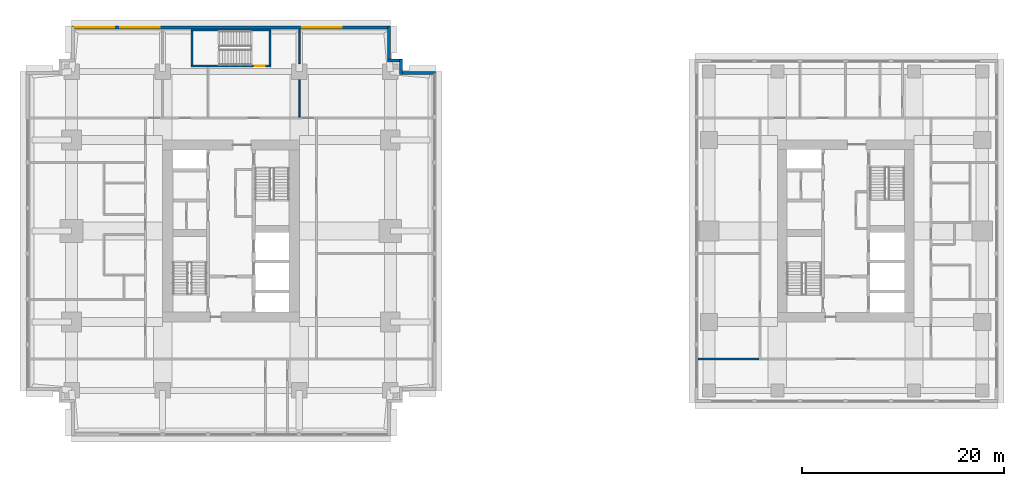
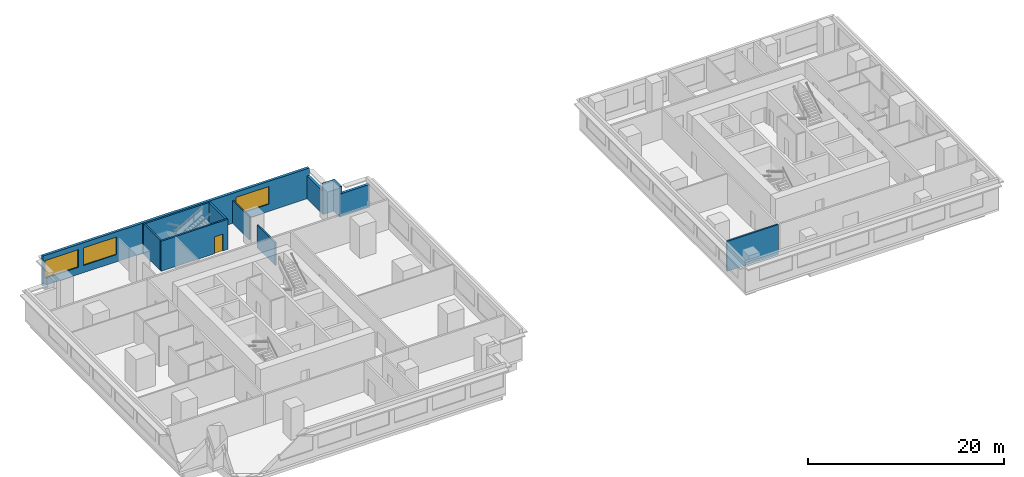
# One storey, part 5 of 11: 12 walls, 3 windows, 1 door, 4 openings.
"""IFC4 building model written with IfcOpenShell, lengths in metres."""

from ifc_helpers import new_model, si_unit, direction, frame, frame_2d, origin, place, context, subcontext, project, spatial, rectangle, extrude, material, layer, layer_set, type_object, element, fill, save


model = new_model("IFC4")

# Units and contexts
model_context = context("Model", 3, precision=1e-05, world=origin(), true_north=direction((0.0, 1.0)))
body_context = subcontext(model_context, "Body", "Model", "MODEL_VIEW")
ifc_project = project(units=[si_unit("LENGTHUNIT", "METRE"), si_unit("AREAUNIT", "SQUARE_METRE"), si_unit("VOLUMEUNIT", "CUBIC_METRE"), si_unit("PLANEANGLEUNIT", "RADIAN"), si_unit("MASSUNIT", "GRAM", prefix="KILO")], contexts=[model_context])

# Site, building, storey
site_placement = place(None, origin())
site = spatial("IfcSite", under=ifc_project, at=site_placement, CompositionType="ELEMENT")
building_placement = place(site_placement, origin())
building = spatial("IfcBuilding", under=site, at=building_placement, Name="Namib Vertical Campus", CompositionType="ELEMENT")
storey_placement = place(building_placement, frame((0.0, 0.0, 209.0)))
storey = spatial("IfcBuildingStorey", under=building, at=storey_placement, Name="L49", CompositionType="ELEMENT", Elevation=209.0)

# Walls
ifc_material_1 = material(Name="Concrete masonry", Category="masonry")
ifc_layer_1 = layer(ifc_material_1, 0.199951171875)
ifc_layer_set_1 = layer_set([ifc_layer_1], Name="Corridor wall 200")
wall_type_1 = type_object("IfcWallType", Name="Corridor wall 200", PredefinedType="SOLIDWALL", material=ifc_layer_set_1)
wall_1_placement = place(storey_placement, frame((66.39990234375, 7.60009765625, 0.0), z_axis=(0.0, 0.0, 1.0), x_axis=(1.0, 0.0, 0.0)))
element("IfcWall", 1, at=wall_1_placement, inside=storey, type_object=wall_type_1, Name="Partition B L49 BSW", PredefinedType="SOLIDWALL", context=body_context, shape_type="SweptSolid", body=[
    extrude(rectangle(XDim=6.050048828125, YDim=0.199951171875, at=frame_2d((3.02490234375, 0.0))), origin(), (0.0, 0.0, 1.0), 3.75),
])
ifc_material_2 = material(Name="Concrete C40/50", Category="concrete")
ifc_layer_2 = layer(ifc_material_2, 0.300048828125)
ifc_layer_set_2 = layer_set([ifc_layer_2], Name="Concrete C40/50")
wall_type_2 = type_object("IfcWallType", Name="External wall 300 board-marked concrete", PredefinedType="STANDARD", material=ifc_layer_set_2)
wall_2_placement = place(storey_placement, frame((40.47998046875, 35.85009765625, 0.0), z_axis=(0.0, 0.0, 1.0), x_axis=(-1.0, 0.0, 0.0)))
element("IfcWall", 2, at=wall_2_placement, inside=storey, type_object=wall_type_2, Name="External wall L49 F07", PredefinedType="STANDARD", context=body_context, shape_type="SweptSolid", body=[
    extrude(rectangle(XDim=3.534912109375, YDim=0.300048828125, at=frame_2d((1.767578125, 0.0))), origin(), (0.0, 0.0, 1.0), 2.85009765625),
])
for number, where, z_axis, x_axis, name in (
    (3, (37.074951171875, 35.719970703125, 0.0), (0.0, 0.0, 1.0), (0.0, 1.0, 0.0), "External wall L49 F08"),
    (4, (37.205078125, 37.074951171875, 0.0), (0.0, 0.0, 1.0), (-1.0, 0.0, 0.0), "External wall L49 F09"),
):
    element("IfcWall", number, at=place(storey_placement, frame(where, z_axis=z_axis, x_axis=x_axis)), inside=storey, type_object=wall_type_2, Name=name, PredefinedType="STANDARD", context=body_context, shape_type="SweptSolid", body=[
        extrude(rectangle(XDim=1.485107421875, YDim=0.300048828125, at=frame_2d((0.74267578125, 0.0))), origin(), (0.0, 0.0, 1.0), 3.75),
    ])
wall_3_placement = place(storey_placement, frame((35.85009765625, 36.945068359375, 0.0), z_axis=(0.0, 0.0, 1.0), x_axis=(0.0, 1.0, 0.0)))
element("IfcWall", 5, at=wall_3_placement, inside=storey, type_object=wall_type_2, Name="External wall L49 F10", PredefinedType="STANDARD", context=body_context, shape_type="SweptSolid", body=[
    extrude(rectangle(XDim=3.534912109375, YDim=0.300048828125, at=frame_2d((1.767578125, 0.0))), origin(), (0.0, 0.0, 1.0), 2.85009765625),
])

# Wall, openings, windows
wall_4_placement = place(storey_placement, frame((35.97998046875, 40.35009765625, 0.0), z_axis=(0.0, 0.0, 1.0), x_axis=(-1.0, 0.0, 0.0)))
wall_4 = element("IfcWall", 6, at=wall_4_placement, inside=storey, type_object=wall_type_2, Name="External wall L49 F11", PredefinedType="STANDARD", context=body_context, shape_type="SweptSolid", body=[
    extrude(rectangle(XDim=31.4599609375, YDim=0.300048828125, at=frame_2d((15.72998046875, 0.0))), origin(), (0.0, 0.0, 1.0), 3.75),
])
opening_1_placement = place(wall_4_placement, frame((27.280029296875, 0.0, 0.89990234375)))
opening_1 = element("IfcOpeningElement", 7, at=opening_1_placement, cuts=wall_4, Name="Opening W1", PredefinedType="OPENING", context=body_context, shape_type="SweptSolid", body=[
    extrude(rectangle(XDim=3.89990234375, YDim=2.199951171875, at=frame_2d((1.949951171875, 1.10009765625))), frame((0.0, 0.159912109375, 0.0), z_axis=(0.0, -1.0, 0.0), x_axis=(1.0, 0.0, 0.0)), (0.0, 0.0, 1.0), 0.320068359375),
])
opening_2_placement = place(wall_4_placement, frame((22.780029296875, 0.0, 0.89990234375)))
opening_2 = element("IfcOpeningElement", 8, at=opening_2_placement, cuts=wall_4, Name="Opening W1", PredefinedType="OPENING", context=body_context, shape_type="SweptSolid", body=[
    extrude(rectangle(XDim=3.89990234375, YDim=2.199951171875, at=frame_2d((1.949951171875, 1.10009765625))), frame((0.0, 0.159912109375, 0.0), z_axis=(0.0, -1.0, 0.0), x_axis=(1.0, 0.0, 0.0)), (0.0, 0.0, 1.0), 0.320068359375),
])
opening_3_placement = place(wall_4_placement, frame((4.780029296875, 0.0, 0.89990234375)))
opening_3 = element("IfcOpeningElement", 9, at=opening_3_placement, cuts=wall_4, Name="Opening W1", PredefinedType="OPENING", context=body_context, shape_type="SweptSolid", body=[
    extrude(rectangle(XDim=3.89990234375, YDim=2.199951171875, at=frame_2d((1.949951171875, 1.10009765625))), frame((0.0, 0.159912109375, 0.0), z_axis=(0.0, -1.0, 0.0), x_axis=(1.0, 0.0, 0.0)), (0.0, 0.0, 1.0), 0.320068359375),
])
ifc_material_3 = material(Name="Dark tinted glass in black aluminium frame", Category="aluminium")
window_type = type_object("IfcWindowType", Name="Ribbon window 3900x2200", PartitioningType="SINGLE_PANEL", PredefinedType="WINDOW", material=ifc_material_3)
window_1_placement = place(opening_1_placement, origin())
window_1 = element("IfcWindow", 10, at=window_1_placement, inside=storey, type_object=window_type, Name="Window W1 L49 F11-1", OverallHeight=2.199951171875, OverallWidth=3.89990234375, PartitioningType="SINGLE_PANEL", PredefinedType="WINDOW", context=body_context, shape_type="SweptSolid", body=[
    extrude(rectangle(XDim=3.89990234375, YDim=2.199951171875, at=frame_2d((1.949951171875, 1.10009765625))), frame((0.0, 0.030029296875, 0.0), z_axis=(0.0, -1.0, 0.0), x_axis=(1.0, 0.0, 0.0)), (0.0, 0.0, 1.0), 0.06005859375),
])
fill(opening_1, window_1)
window_2_placement = place(opening_2_placement, origin())
window_2 = element("IfcWindow", 11, at=window_2_placement, inside=storey, type_object=window_type, Name="Window W1 L49 F11-2", OverallHeight=2.199951171875, OverallWidth=3.89990234375, PartitioningType="SINGLE_PANEL", PredefinedType="WINDOW", context=body_context, shape_type="SweptSolid", body=[
    extrude(rectangle(XDim=3.89990234375, YDim=2.199951171875, at=frame_2d((1.949951171875, 1.10009765625))), frame((0.0, 0.030029296875, 0.0), z_axis=(0.0, -1.0, 0.0), x_axis=(1.0, 0.0, 0.0)), (0.0, 0.0, 1.0), 0.06005859375),
])
fill(opening_2, window_2)
window_3_placement = place(opening_3_placement, origin())
window_3 = element("IfcWindow", 12, at=window_3_placement, inside=storey, type_object=window_type, Name="Window W1 L49 F11-6", OverallHeight=2.199951171875, OverallWidth=3.89990234375, PartitioningType="SINGLE_PANEL", PredefinedType="WINDOW", context=body_context, shape_type="SweptSolid", body=[
    extrude(rectangle(XDim=3.89990234375, YDim=2.199951171875, at=frame_2d((1.949951171875, 1.10009765625))), frame((0.0, 0.030029296875, 0.0), z_axis=(0.0, -1.0, 0.0), x_axis=(1.0, 0.0, 0.0)), (0.0, 0.0, 1.0), 0.06005859375),
])
fill(opening_3, window_3)

# Walls
ifc_material_4 = material(Name="Gypsum board on steel studs", Category="steel")
ifc_layer_3 = layer(ifc_material_4, 0.14990234375)
ifc_layer_set_3 = layer_set([ifc_layer_3], Name="Gypsum board on steel studs")
wall_type_3 = type_object("IfcWallType", Name="Partition 150", PredefinedType="PARTITIONING", material=ifc_layer_set_3)
wall_5_placement = place(storey_placement, frame((27.0, 31.5, 0.0), z_axis=(0.0, 0.0, 1.0), x_axis=(0.0, 1.0, 0.0)))
element("IfcWall", 13, at=wall_5_placement, inside=storey, type_object=wall_type_3, Name="Partition A L49 PN3", PredefinedType="PARTITIONING", context=body_context, shape_type="SweptSolid", body=[
    extrude(rectangle(XDim=3.705078125, YDim=0.14990234375, at=frame_2d((1.8525390625, 0.0))), origin(), (0.0, 0.0, 1.0), 2.85009765625),
])
wall_6_placement = place(storey_placement, frame((27.0, 36.794921875, 0.0), z_axis=(0.0, 0.0, 1.0), x_axis=(0.0, 1.0, 0.0)))
element("IfcWall", 14, at=wall_6_placement, inside=storey, type_object=wall_type_3, Name="Partition A L49 PN3", PredefinedType="PARTITIONING", context=body_context, shape_type="SweptSolid", body=[
    extrude(rectangle(XDim=3.405029296875, YDim=0.14990234375, at=frame_2d((1.70263671875, 0.0))), origin(), (0.0, 0.0, 1.0), 2.85009765625),
])

# Wall, opening, door
ifc_material_5 = material(Name="Concrete C40/50", Category="concrete")
ifc_layer_4 = layer(ifc_material_5, 0.199951171875)
ifc_layer_set_4 = layer_set([ifc_layer_4], Name="Concrete C40/50")
wall_type_4 = type_object("IfcWallType", Name="Stair enclosure wall RC 200", PredefinedType="SOLIDWALL", material=ifc_layer_set_4)
wall_7_placement = place(storey_placement, frame((16.300048828125, 36.550048828125, 0.0), z_axis=(0.0, 0.0, 1.0), x_axis=(1.0, 0.0, 0.0)))
wall_7 = element("IfcWall", 15, at=wall_7_placement, inside=storey, type_object=wall_type_4, Name="Stair enclosure wall A-S3 L49 S", PredefinedType="SOLIDWALL", context=body_context, shape_type="SweptSolid", body=[
    extrude(rectangle(XDim=7.89990234375, YDim=0.199951171875, at=frame_2d((3.949951171875, 0.0))), origin(), (0.0, 0.0, 1.0), 3.75),
])
opening_4_placement = place(wall_7_placement, frame((6.300048828125, 0.0, 0.0)))
opening_4 = element("IfcOpeningElement", 16, at=opening_4_placement, cuts=wall_7, Name="Opening FD1", PredefinedType="OPENING", context=body_context, shape_type="SweptSolid", body=[
    extrude(rectangle(XDim=1.0, YDim=2.10009765625, at=frame_2d((0.5, 1.050048828125))), frame((0.0, 0.10986328125, 0.0), z_axis=(0.0, -1.0, 0.0), x_axis=(1.0, 0.0, 0.0)), (0.0, 0.0, 1.0), 0.219970703125),
])
ifc_material_6 = material(Name="Steel fire door", Category="steel")
door_type = type_object("IfcDoorType", Name="Fire door 1000x2100", OperationType="SINGLE_SWING_RIGHT", PredefinedType="DOOR", material=ifc_material_6)
door_placement = place(opening_4_placement, origin())
door = element("IfcDoor", 17, at=door_placement, inside=storey, type_object=door_type, Name="Stair door FD1 A L49 S3", OperationType="SINGLE_SWING_RIGHT", OverallHeight=2.10009765625, OverallWidth=1.0, PredefinedType="DOOR", context=body_context, shape_type="SweptSolid", body=[
    extrude(rectangle(XDim=1.0, YDim=2.10009765625, at=frame_2d((0.5, 1.050048828125))), frame((0.0, 0.02490234375, 0.0), z_axis=(0.0, -1.0, 0.0), x_axis=(1.0, 0.0, 0.0)), (0.0, 0.0, 1.0), 0.050048828125),
])
fill(opening_4, door)

# Walls
wall_8_placement = place(storey_placement, frame((16.300048828125, 40.10009765625, 0.0), z_axis=(0.0, 0.0, 1.0), x_axis=(1.0, 0.0, 0.0)))
element("IfcWall", 18, at=wall_8_placement, inside=storey, type_object=wall_type_4, Name="Stair enclosure wall A-S3 L49 N", PredefinedType="SOLIDWALL", context=body_context, shape_type="SweptSolid", body=[
    extrude(rectangle(XDim=7.89990234375, YDim=0.199951171875, at=frame_2d((3.949951171875, 0.0))), origin(), (0.0, 0.0, 1.0), 3.75),
])
for number, where, z_axis, x_axis, name in (
    (19, (16.39990234375, 36.64990234375, 0.0), (0.0, 0.0, 1.0), (0.0, 1.0, 0.0), "Stair enclosure wall A-S3 L49 W"),
    (20, (24.10009765625, 36.64990234375, 0.0), (0.0, 0.0, 1.0), (0.0, 1.0, 0.0), "Stair enclosure wall A-S3 L49 E"),
):
    element("IfcWall", number, at=place(storey_placement, frame(where, z_axis=z_axis, x_axis=x_axis)), inside=storey, type_object=wall_type_4, Name=name, PredefinedType="SOLIDWALL", context=body_context, shape_type="SweptSolid", body=[
        extrude(rectangle(XDim=3.35009765625, YDim=0.199951171875, at=frame_2d((1.675048828125, 0.0))), origin(), (0.0, 0.0, 1.0), 3.75),
    ])

save(model, "model.ifc")
